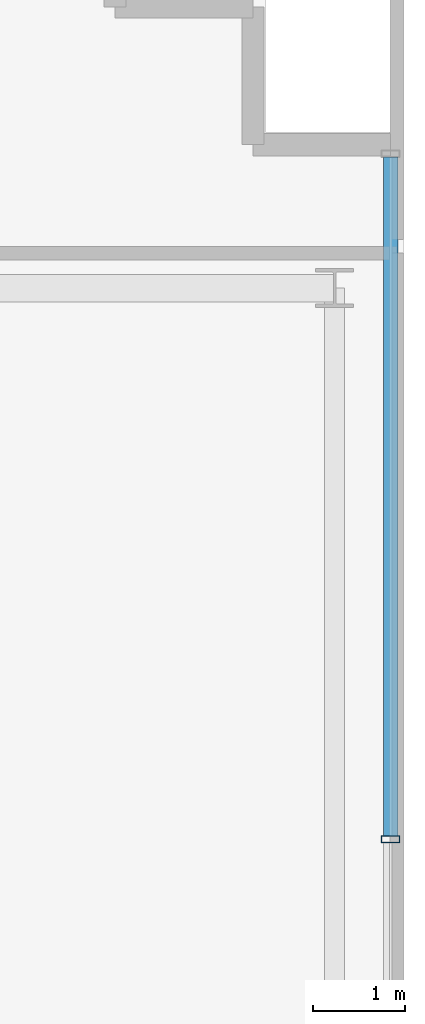
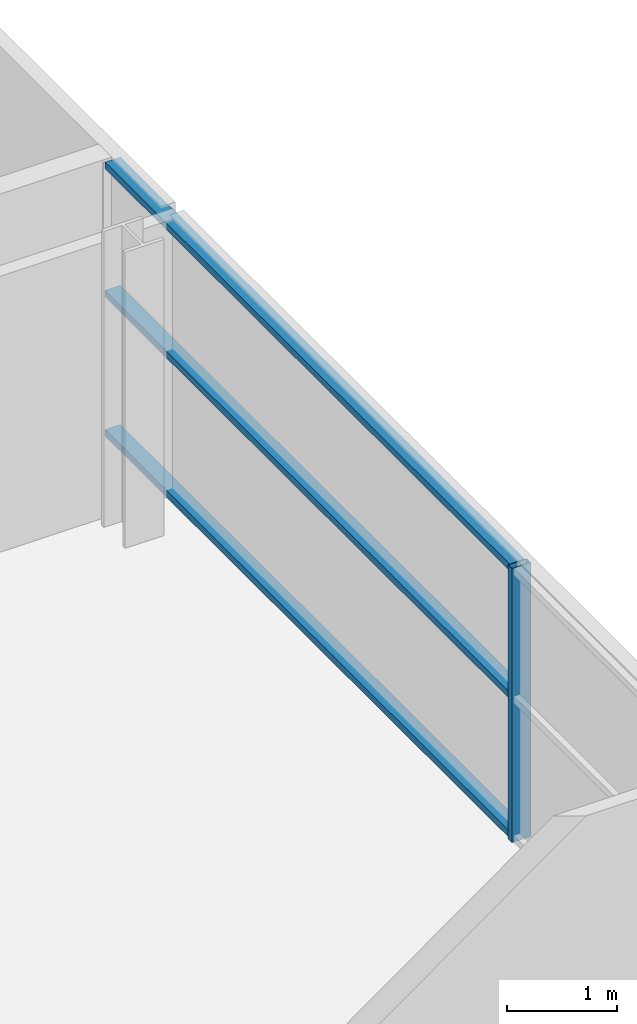
# One storey, part 17 of 31: 4 members, 1 element without a shape of its own.
"""IFC4 building model written with IfcOpenShell, lengths in metres."""

from ifc_helpers import new_model, si_unit, direction, frame, origin, origin_2d, place, context, subcontext, project, spatial, hollow_rectangle, extrude, source, transform, mapped, material, layer, layer_set, material_profile, profile_set, type_object, element, aggregate, save


model = new_model("IFC4")

# Units and contexts
model_context = context("Model", 3, precision=1e-05, world=origin(), true_north=direction((0.0, 1.0)))
body_context = subcontext(model_context, "Body", "Model", "MODEL_VIEW")
ifc_project = project(units=[si_unit("LENGTHUNIT", "METRE"), si_unit("AREAUNIT", "SQUARE_METRE"), si_unit("VOLUMEUNIT", "CUBIC_METRE"), si_unit("PLANEANGLEUNIT", "RADIAN"), si_unit("MASSUNIT", "GRAM", prefix="KILO")], contexts=[model_context])

# Site, building, storey
site_placement = place(None, origin())
site = spatial("IfcSite", under=ifc_project, at=site_placement, CompositionType="ELEMENT")
building_placement = place(site_placement, origin())
building = spatial("IfcBuilding", under=site, at=building_placement, Name="Zarnakvel Exchange Tower", CompositionType="ELEMENT")
storey_placement = place(building_placement, frame((0.0, 0.0, 67.0)))
storey = spatial("IfcBuildingStorey", under=building, at=storey_placement, Name="L18", CompositionType="ELEMENT", Elevation=67.0)

# Curtain wall, members
ifc_material = material(Name="Architectural Bronze Anodised Aluminium", Category="aluminium")
ifc_layer = layer(ifc_material, 0.199951171875)
ifc_layer_set = layer_set([ifc_layer], Name="Architectural Bronze Anodised Aluminium")
curtain_wall_type = type_object("IfcCurtainWallType", Name="CW-04", PredefinedType="NOTDEFINED", material=ifc_layer_set)
curtain_wall_placement = place(storey_placement, origin())
curtain_wall = element("IfcCurtainWall", 1, at=curtain_wall_placement, inside=storey, type_object=curtain_wall_type, Name="L18 Curtain Wall CW-L18-E1 (CW-04)", PredefinedType="NOTDEFINED")
ifc_material_profile_1 = material_profile(ifc_material, hollow_rectangle(XDim=0.159912109375, YDim=0.074951171875, WallThickness=0.00390625, at=origin_2d()))
ifc_profile_set_1 = profile_set([ifc_material_profile_1], Name="Architectural Bronze Anodised Aluminium")
member_type_1 = type_object("IfcMemberType", Name="CWT-04", PredefinedType="USERDEFINED", material=ifc_profile_set_1)
shared_shape_1 = source(origin(), body_context, "Body", "SweptSolid", [
    extrude(hollow_rectangle(XDim=0.159912109375, YDim=0.074951171875, WallThickness=0.00390625, at=origin_2d()), origin(), (0.0, 0.0, 1.0), 7.387451171875),
])
member_1_placement = place(storey_placement, frame((32.4599609375, 7.53759765625, 0.03759765625), z_axis=(0.0, 1.0, 0.0), x_axis=(-1.0, 0.0, 0.0)))
member_1 = element("IfcMember", 2, at=member_1_placement, type_object=member_type_1, Name="CW-04 transom 4.1", ObjectType="TRANSOM", PredefinedType="USERDEFINED", context=body_context, shape_type="MappedRepresentation", body=[
    mapped(shared_shape_1, transform((0.0, 0.0, 0.0), x_axis=(1.0, 0.0, 0.0), y_axis=(0.0, 1.0, 0.0), z_axis=(0.0, 0.0, 1.0), scale=1.0)),
])
member_2_placement = place(storey_placement, frame((32.4599609375, 7.53759765625, 1.588623046875), z_axis=(0.0, 1.0, 0.0), x_axis=(-1.0, 0.0, 0.0)))
member_2 = element("IfcMember", 3, at=member_2_placement, type_object=member_type_1, Name="CW-04 transom 4.2", ObjectType="TRANSOM", PredefinedType="USERDEFINED", context=body_context, shape_type="MappedRepresentation", body=[
    mapped(shared_shape_1, transform((0.0, 0.0, 0.0), x_axis=(1.0, 0.0, 0.0), y_axis=(0.0, 1.0, 0.0), z_axis=(0.0, 0.0, 1.0), scale=1.0)),
])
member_3_placement = place(storey_placement, frame((32.4599609375, 7.53759765625, 3.017578125), z_axis=(0.0, 1.0, 0.0), x_axis=(-1.0, 0.0, 0.0)))
member_3 = element("IfcMember", 4, at=member_3_placement, type_object=member_type_1, Name="CW-04 transom 4.3", ObjectType="TRANSOM", PredefinedType="USERDEFINED", context=body_context, shape_type="MappedRepresentation", body=[
    mapped(shared_shape_1, transform((0.0, 0.0, 0.0), x_axis=(1.0, 0.0, 0.0), y_axis=(0.0, 1.0, 0.0), z_axis=(0.0, 0.0, 1.0), scale=1.0)),
])
ifc_material_profile_2 = material_profile(ifc_material, hollow_rectangle(XDim=0.199951171875, YDim=0.074951171875, WallThickness=0.0048828125, at=origin_2d()))
ifc_profile_set_2 = profile_set([ifc_material_profile_2], Name="Architectural Bronze Anodised Aluminium")
member_type_2 = type_object("IfcMemberType", Name="CWM-04", PredefinedType="MULLION", material=ifc_profile_set_2)
shared_shape_2 = source(origin(), body_context, "Body", "SweptSolid", [
    extrude(hollow_rectangle(XDim=0.199951171875, YDim=0.074951171875, WallThickness=0.0048828125, at=origin_2d()), origin(), (0.0, 0.0, 1.0), 3.054931640625),
])
member_4_placement = place(storey_placement, frame((32.4599609375, 7.5, 0.0), z_axis=(0.0, 0.0, 1.0), x_axis=(-1.0, 0.0, 0.0)))
member_4 = element("IfcMember", 5, at=member_4_placement, type_object=member_type_2, Name="CW-04 mullion 4", PredefinedType="MULLION", context=body_context, shape_type="MappedRepresentation", body=[
    mapped(shared_shape_2, transform((0.0, 0.0, 0.0), x_axis=(1.0, 0.0, 0.0), y_axis=(0.0, 1.0, 0.0), z_axis=(0.0, 0.0, 1.0), scale=1.0)),
])
aggregate(curtain_wall, [member_4, member_1, member_2, member_3])

save(model, "model.ifc")
